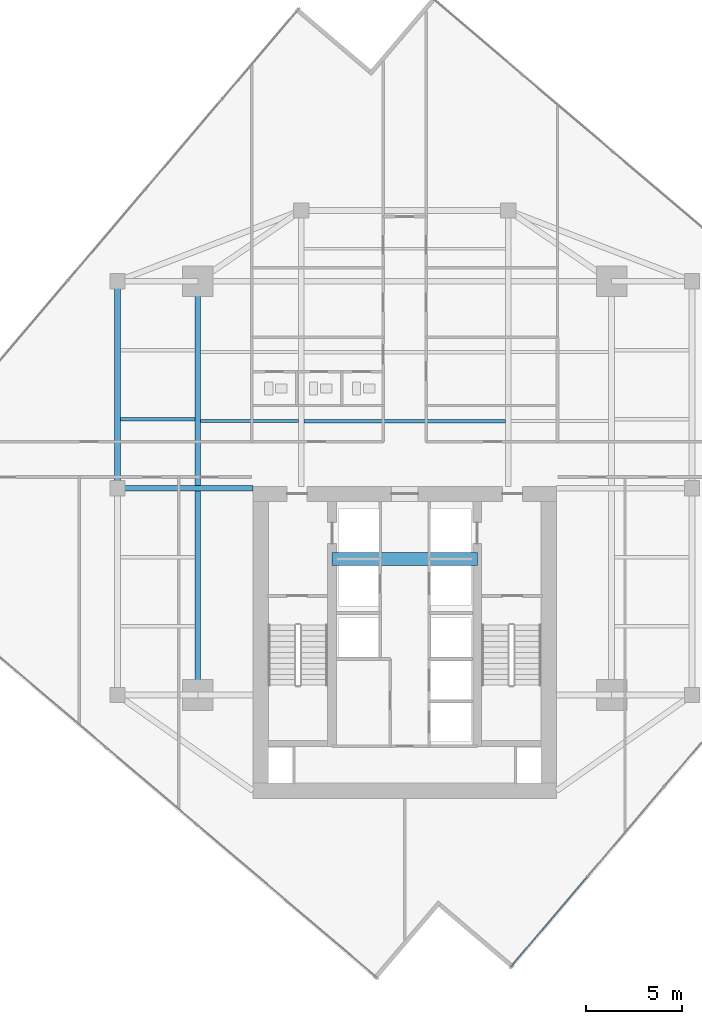
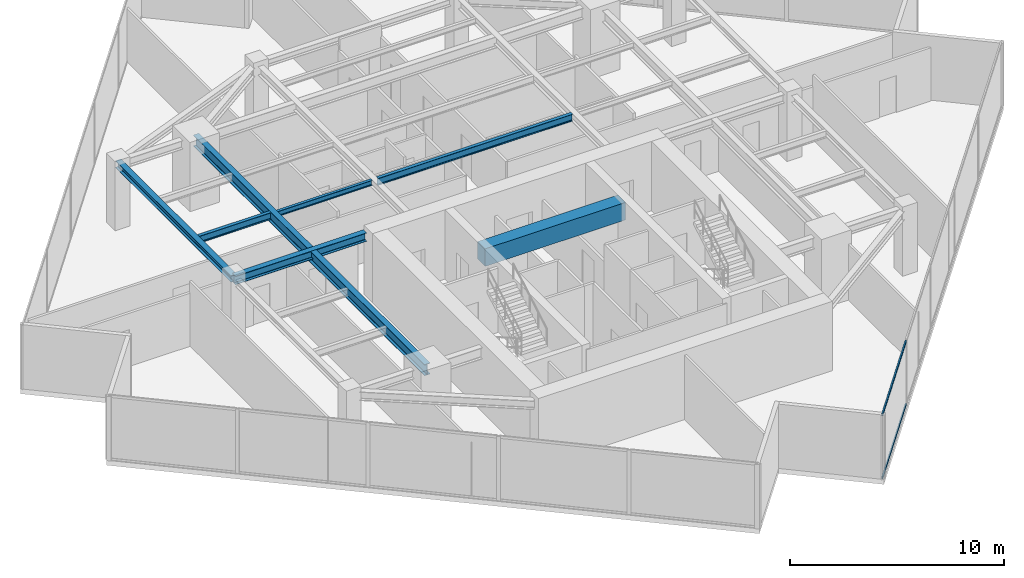
# One storey, part 9 of 25: 7 beams, 2 members, 1 element without a shape of its own.
"""IFC4 building model written with IfcOpenShell, lengths in metres."""

from ifc_helpers import new_model, si_unit, direction, frame, origin, origin_2d, place, context, subcontext, project, spatial, rectangle, hollow_rectangle, i_section, extrude, source, transform, mapped, material, material_profile, profile_set, type_object, type_shapes, element, aggregate, save


model = new_model("IFC4")

# Units and contexts
model_context = context("Model", 3, precision=1e-05, world=origin(), true_north=direction((0.0, 1.0)))
body_context = subcontext(model_context, "Body", "Model", "MODEL_VIEW")
ifc_project = project(units=[si_unit("LENGTHUNIT", "METRE"), si_unit("AREAUNIT", "SQUARE_METRE"), si_unit("VOLUMEUNIT", "CUBIC_METRE"), si_unit("PLANEANGLEUNIT", "RADIAN"), si_unit("MASSUNIT", "GRAM", prefix="KILO")], contexts=[model_context])

# Site, building, storey
site_placement = place(None, origin())
site = spatial("IfcSite", under=ifc_project, at=site_placement, CompositionType="ELEMENT")
building_placement = place(site_placement, origin())
building = spatial("IfcBuilding", under=site, at=building_placement, Name="Krantzveldt Concourse Tower", CompositionType="ELEMENT")
storey_placement = place(building_placement, frame((0.0, 0.0, 215.199951171875)))
storey = spatial("IfcBuildingStorey", under=building, at=storey_placement, Name="L52", CompositionType="ELEMENT", Elevation=215.199951171875)

# Beams
ifc_material_1 = material(Name="Steel S355JR", Category="steel")
ifc_material_profile_1 = material_profile(ifc_material_1, i_section(OverallWidth=0.300048828125, OverallDepth=0.639892578125, WebThickness=0.013427734375, FlangeThickness=0.02587890625, FilletRadius=0.027099609375, at=origin_2d()), Name="Steel S355JR", Category="steel")
ifc_profile_set_1 = profile_set([ifc_material_profile_1], Name="Steel S355JR - HEA 650")
beam_type_1 = type_object("IfcBeamType", Name="BM-B-HEA650", PredefinedType="BEAM", material=ifc_profile_set_1)
shared_shape_1 = source(origin(), body_context, "Body", "SweptSolid", [
    extrude(i_section(OverallWidth=0.300048828125, OverallDepth=0.639892578125, WebThickness=0.013427734375, FlangeThickness=0.02587890625, FilletRadius=0.027099609375, at=origin_2d()), origin(), (0.0, 0.0, 1.0), 21.60009765625),
])
type_shapes(beam_type_1, [shared_shape_1])
beam_1_placement = place(storey_placement, frame((25.199951171875, 15.89990234375, 3.35009765625), z_axis=(0.0, 1.0, 0.0), x_axis=(-1.0, 0.0, 0.0)))
element("IfcBeam", 1, at=beam_1_placement, inside=storey, type_object=beam_type_1, Name="L52 Tower Girder BG-MW", PredefinedType="BEAM", context=body_context, shape_type="MappedRepresentation", body=[
    mapped(shared_shape_1, transform((0.0, 0.0, 0.0), x_axis=(1.0, 0.0, 0.0), y_axis=(0.0, 1.0, 0.0), z_axis=(0.0, 0.0, 1.0), scale=1.0)),
])
ifc_material_profile_2 = material_profile(ifc_material_1, i_section(OverallWidth=0.179931640625, OverallDepth=0.39990234375, WebThickness=0.008544921875, FlangeThickness=0.013427734375, FilletRadius=0.02099609375, at=origin_2d()), Name="Steel S355JR", Category="steel")
ifc_profile_set_2 = profile_set([ifc_material_profile_2], Name="Steel S355JR - IPE 400")
beam_type_2 = type_object("IfcBeamType", Name="BM-J-IPE400", PredefinedType="JOIST", material=ifc_profile_set_2)
shared_shape_2 = source(origin(), body_context, "Body", "SweptSolid", [
    extrude(i_section(OverallWidth=0.179931640625, OverallDepth=0.39990234375, WebThickness=0.008544921875, FlangeThickness=0.013427734375, FilletRadius=0.02099609375, at=origin_2d()), origin(), (0.0, 0.0, 1.0), 10.5),
])
beam_2_placement = place(storey_placement, frame((30.75, 30.199951171875, 3.469970703125), z_axis=(1.0, 0.0, 0.0), x_axis=(0.0, 1.0, 0.0)))
element("IfcBeam", 2, at=beam_2_placement, inside=storey, type_object=beam_type_2, Name="L52 Secondary Floor Joist JN-C1", PredefinedType="JOIST", context=body_context, shape_type="MappedRepresentation", body=[
    mapped(shared_shape_2, transform((0.0, 0.0, 0.0), x_axis=(1.0, 0.0, 0.0), y_axis=(0.0, 1.0, 0.0), z_axis=(0.0, 0.0, 1.0), scale=1.0)),
])
ifc_material_2 = material(Name="Concrete C50/60", Category="concrete")
ifc_material_profile_3 = material_profile(ifc_material_2, rectangle(XDim=0.699951171875, YDim=1.0, at=origin_2d()), Name="Concrete C50/60", Category="concrete")
ifc_profile_set_3 = profile_set([ifc_material_profile_3], Name="Concrete C50/60 - RC-CB 700x1000")
beam_type_3 = type_object("IfcBeamType", Name="BM-CB-1000", PredefinedType="LINTEL", material=ifc_profile_set_3)
shared_shape_3 = source(origin(), body_context, "Body", "SweptSolid", [
    extrude(rectangle(XDim=0.699951171875, YDim=1.0, at=origin_2d()), origin(), (0.0, 0.0, 1.0), 7.580078125),
])
type_shapes(beam_type_3, [shared_shape_3])
beam_3_placement = place(storey_placement, frame((32.2099609375, 23.0, 3.170166015625), z_axis=(1.0, 0.0, 0.0), x_axis=(0.0, 1.0, 0.0)))
element("IfcBeam", 3, at=beam_3_placement, inside=storey, type_object=beam_type_3, Name="CB-L52-01", PredefinedType="LINTEL", context=body_context, shape_type="MappedRepresentation", body=[
    mapped(shared_shape_3, transform((0.0, 0.0, 0.0), x_axis=(1.0, 0.0, 0.0), y_axis=(0.0, 1.0, 0.0), z_axis=(0.0, 0.0, 1.0), scale=1.0)),
])
ifc_material_profile_4 = material_profile(ifc_material_1, i_section(OverallWidth=0.300048828125, OverallDepth=0.389892578125, WebThickness=0.010986328125, FlangeThickness=0.01904296875, FilletRadius=0.027099609375, at=origin_2d()), Name="Steel S355JR", Category="steel")
ifc_profile_set_4 = profile_set([ifc_material_profile_4], Name="Steel S355JR - HEA 400")
beam_type_4 = type_object("IfcBeamType", Name="BM-SP-HEA400", PredefinedType="SPANDREL", material=ifc_profile_set_4)
shared_shape_4 = source(origin(), body_context, "Body", "SweptSolid", [
    extrude(i_section(OverallWidth=0.300048828125, OverallDepth=0.389892578125, WebThickness=0.010986328125, FlangeThickness=0.01904296875, FilletRadius=0.027099609375, at=origin_2d()), origin(), (0.0, 0.0, 1.0), 10.800048828125),
])
type_shapes(beam_type_4, [shared_shape_4])
beam_4_placement = place(storey_placement, frame((21.0, 26.699951171875, 3.47509765625), z_axis=(0.0, 1.0, 0.0), x_axis=(-1.0, 0.0, 0.0)))
element("IfcBeam", 4, at=beam_4_placement, inside=storey, type_object=beam_type_4, Name="L52 Tower Girder SP-R02", PredefinedType="SPANDREL", context=body_context, shape_type="MappedRepresentation", body=[
    mapped(shared_shape_4, transform((0.0, 0.0, 0.0), x_axis=(1.0, 0.0, 0.0), y_axis=(0.0, 1.0, 0.0), z_axis=(0.0, 0.0, 1.0), scale=1.0)),
])
ifc_material_profile_5 = material_profile(ifc_material_1, i_section(OverallWidth=0.300048828125, OverallDepth=0.489990234375, WebThickness=0.011962890625, FlangeThickness=0.02294921875, FilletRadius=0.027099609375, at=origin_2d()), Name="Steel S355JR", Category="steel")
ifc_profile_set_5 = profile_set([ifc_material_profile_5], Name="Steel S355JR - HEA 500")
beam_type_5 = type_object("IfcBeamType", Name="BM-B-HEA500", PredefinedType="BEAM", material=ifc_profile_set_5)
shared_shape_5 = source(origin(), body_context, "Body", "SweptSolid", [
    extrude(i_section(OverallWidth=0.300048828125, OverallDepth=0.489990234375, WebThickness=0.011962890625, FlangeThickness=0.02294921875, FilletRadius=0.027099609375, at=origin_2d()), origin(), (0.0, 0.0, 1.0), 7.080078125),
])
type_shapes(beam_type_5, [shared_shape_5])
beam_5_placement = place(storey_placement, frame((21.0, 26.699951171875, 3.425048828125), z_axis=(1.0, 0.0, 0.0), x_axis=(0.0, 1.0, 0.0)))
element("IfcBeam", 5, at=beam_5_placement, inside=storey, type_object=beam_type_5, Name="L52 Tower Girder BG-CW2", PredefinedType="BEAM", context=body_context, shape_type="MappedRepresentation", body=[
    mapped(shared_shape_5, transform((0.0, 0.0, 0.0), x_axis=(1.0, 0.0, 0.0), y_axis=(0.0, 1.0, 0.0), z_axis=(0.0, 0.0, 1.0), scale=1.0)),
])
ifc_material_profile_6 = material_profile(ifc_material_1, i_section(OverallWidth=0.14990234375, OverallDepth=0.300048828125, WebThickness=0.007080078125, FlangeThickness=0.0107421875, FilletRadius=0.014892578125, at=origin_2d()), Name="Steel S355JR", Category="steel")
ifc_profile_set_6 = profile_set([ifc_material_profile_6], Name="Steel S355JR - IPE 300")
beam_type_6 = type_object("IfcBeamType", Name="BM-J-IPE300", PredefinedType="JOIST", material=ifc_profile_set_6)
shared_shape_6 = source(origin(), body_context, "Body", "SweptSolid", [
    extrude(i_section(OverallWidth=0.14990234375, OverallDepth=0.300048828125, WebThickness=0.007080078125, FlangeThickness=0.0107421875, FilletRadius=0.014892578125, at=origin_2d()), origin(), (0.0, 0.0, 1.0), 5.099853515625),
])
type_shapes(beam_type_6, [shared_shape_6])
beam_6_placement = place(storey_placement, frame((25.35009765625, 30.199951171875, 3.52001953125), z_axis=(1.0, 0.0, 0.0), x_axis=(0.0, 1.0, 0.0)))
element("IfcBeam", 6, at=beam_6_placement, inside=storey, type_object=beam_type_6, Name="L52 Secondary Floor Joist JN-W1", PredefinedType="JOIST", context=body_context, shape_type="MappedRepresentation", body=[
    mapped(shared_shape_6, transform((0.0, 0.0, 0.0), x_axis=(1.0, 0.0, 0.0), y_axis=(0.0, 1.0, 0.0), z_axis=(0.0, 0.0, 1.0), scale=1.0)),
])
shared_shape_7 = source(origin(), body_context, "Body", "SweptSolid", [
    extrude(i_section(OverallWidth=0.179931640625, OverallDepth=0.39990234375, WebThickness=0.008544921875, FlangeThickness=0.013427734375, FilletRadius=0.02099609375, at=origin_2d()), origin(), (0.0, 0.0, 1.0), 3.900146484375),
])
type_shapes(beam_type_2, [shared_shape_2, shared_shape_7])
beam_7_placement = place(storey_placement, frame((21.14990234375, 30.300048828125, 3.469970703125), z_axis=(1.0, 0.0, 0.0), x_axis=(0.0, 1.0, 0.0)))
element("IfcBeam", 7, at=beam_7_placement, inside=storey, type_object=beam_type_2, Name="L52 Secondary Floor Joist JW-3", PredefinedType="JOIST", context=body_context, shape_type="MappedRepresentation", body=[
    mapped(shared_shape_7, transform((0.0, 0.0, 0.0), x_axis=(1.0, 0.0, 0.0), y_axis=(0.0, 1.0, 0.0), z_axis=(0.0, 0.0, 1.0), scale=1.0)),
])

# Curtain wall, members
ifc_material_3 = material(Name="Anodised aluminium 6063-T6", Category="aluminium")
curtain_wall_type = type_object("IfcCurtainWallType", Name="CW3", PredefinedType="USERDEFINED", material=ifc_material_3)
curtain_wall_placement = place(storey_placement, origin())
curtain_wall = element("IfcCurtainWall", 8, at=curtain_wall_placement, inside=storey, type_object=curtain_wall_type, Name="CW-L52-F07", ObjectType="UNITISED CURTAIN WALL", PredefinedType="USERDEFINED")
ifc_material_profile_7 = material_profile(ifc_material_3, hollow_rectangle(XDim=0.070068359375, YDim=0.139892578125, WallThickness=0.0048828125, at=origin_2d()), Name="Anodised aluminium 6063-T6", Category="aluminium")
ifc_profile_set_7 = profile_set([ifc_material_profile_7], Name="Anodised aluminium 6063-T6 - ALU-TRAN 140x70x5")
member_type = type_object("IfcMemberType", Name="CW-TRN-150", PredefinedType="USERDEFINED", material=ifc_profile_set_7)
shared_shape_8 = source(origin(), body_context, "Body", "SweptSolid", [
    extrude(hollow_rectangle(XDim=0.070068359375, YDim=0.139892578125, WallThickness=0.0048828125, at=origin_2d()), origin(), (0.0, 0.0, 1.0), 6.0947265625),
])
type_shapes(member_type, [shared_shape_8])
member_1_placement = place(storey_placement, frame((41.553466796875, 1.723876953125, 0.03515625), z_axis=(0.647804216656, 0.761806863242, 0.0), x_axis=(-0.761806863242, 0.647804216656, 0.0)))
member_1 = element("IfcMember", 9, at=member_1_placement, type_object=member_type, Name="CW-Z34 transom 1.1", ObjectType="TRANSOM", PredefinedType="USERDEFINED", context=body_context, shape_type="MappedRepresentation", body=[
    mapped(shared_shape_8, transform((0.0, 0.0, 0.0), x_axis=(1.0, 0.0, 0.0), y_axis=(0.0, 1.0, 0.0), z_axis=(0.0, 0.0, 1.0), scale=1.0)),
])
member_2_placement = place(storey_placement, frame((41.553466796875, 1.723876953125, 3.635009765625), z_axis=(0.647804216656, 0.761806863242, 0.0), x_axis=(-0.761806863242, 0.647804216656, 0.0)))
member_2 = element("IfcMember", 10, at=member_2_placement, type_object=member_type, Name="CW-Z34 transom 1.2", ObjectType="TRANSOM", PredefinedType="USERDEFINED", context=body_context, shape_type="MappedRepresentation", body=[
    mapped(shared_shape_8, transform((0.0, 0.0, 0.0), x_axis=(1.0, 0.0, 0.0), y_axis=(0.0, 1.0, 0.0), z_axis=(0.0, 0.0, 1.0), scale=1.0)),
])
aggregate(curtain_wall, [member_1, member_2])

save(model, "model.ifc")
